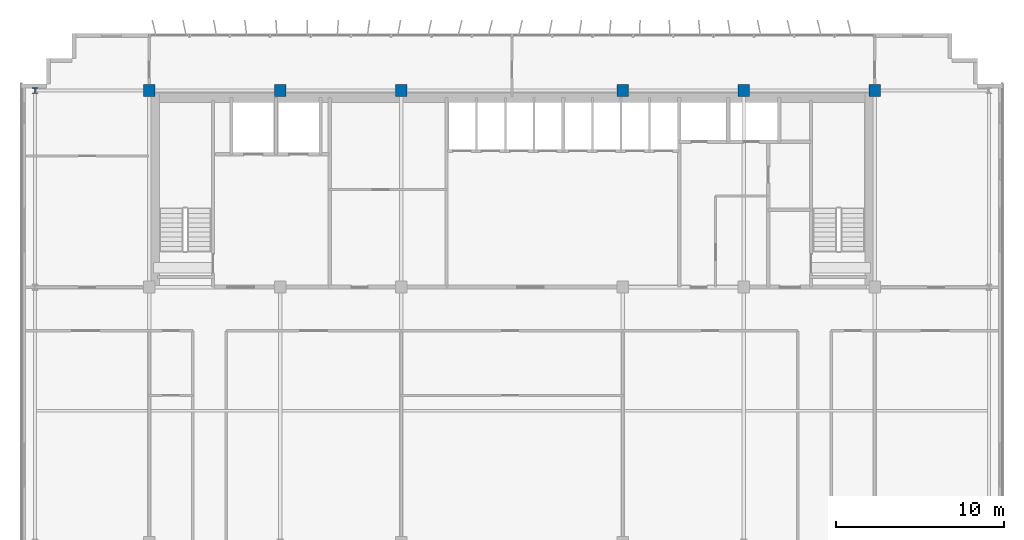
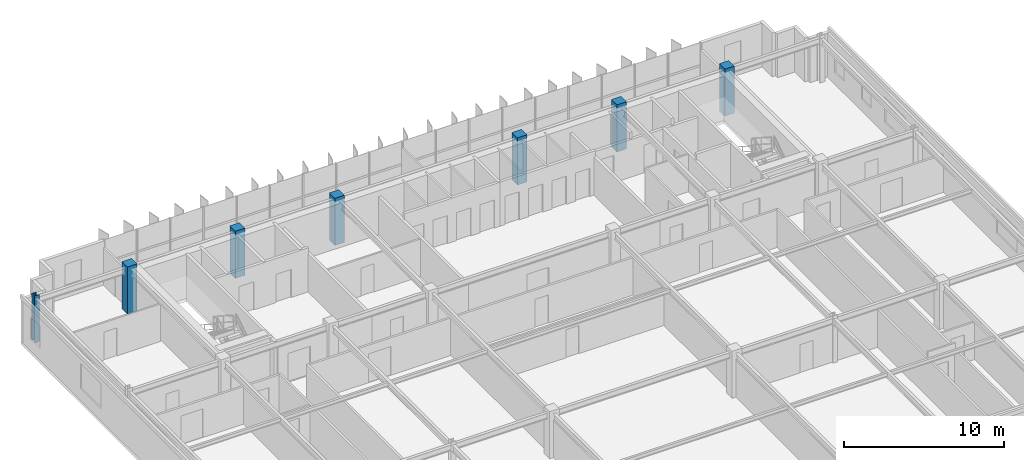
# One storey, part 3 of 19: 7 columns.
"""IFC4 building model written with IfcOpenShell, lengths in metres."""

from ifc_helpers import new_model, si_unit, direction, frame, origin, origin_2d, place, context, subcontext, project, spatial, rectangle, i_section, extrude, source, transform, mapped, material, material_profile, profile_set, type_object, element, save


model = new_model("IFC4")

# Units and contexts
model_context = context("Model", 3, precision=1e-05, world=origin(), true_north=direction((0.0, 1.0)))
body_context = subcontext(model_context, "Body", "Model", "MODEL_VIEW")
ifc_project = project(units=[si_unit("LENGTHUNIT", "METRE"), si_unit("AREAUNIT", "SQUARE_METRE"), si_unit("VOLUMEUNIT", "CUBIC_METRE"), si_unit("PLANEANGLEUNIT", "RADIAN"), si_unit("MASSUNIT", "GRAM", prefix="KILO")], contexts=[model_context])

# Site, building, storey
site_placement = place(None, origin())
site = spatial("IfcSite", under=ifc_project, at=site_placement, CompositionType="ELEMENT")
building_placement = place(site_placement, origin())
building = spatial("IfcBuilding", under=site, at=building_placement, Name="Trelvane Seafront Commons", CompositionType="ELEMENT")
storey_placement = place(building_placement, frame((0.0, 0.0, 215.699951171875)))
storey = spatial("IfcBuildingStorey", under=building, at=storey_placement, Name="L56", CompositionType="ELEMENT", Elevation=215.699951171875)

# Columns
ifc_material_1 = material(Name="Concrete C50/60", Category="concrete")
ifc_material_profile_1 = material_profile(ifc_material_1, rectangle(XDim=0.699951171875, YDim=0.699951171875, at=origin_2d()), Name="RC-700x700")
ifc_profile_set_1 = profile_set([ifc_material_profile_1], Name="Concrete C50/60")
column_type_1 = type_object("IfcColumnType", Name="STR-COL-RC700", PredefinedType="COLUMN", material=ifc_profile_set_1)
shared_shape_1 = source(origin(), body_context, "Body", "SweptSolid", [
    extrude(rectangle(XDim=0.699951171875, YDim=0.699951171875, at=origin_2d()), origin(), (0.0, 0.0, 1.0), 3.60009765625),
])
for number, where, z_axis, x_axis, name in (
    (1, (15.60009765625, 45.10009765625, 0.0), (0.0, 0.0, 1.0), (1.0, 0.0, 0.0), "L56 Column TC-CN15.6"),
    (2, (23.39990234375, 45.10009765625, 0.0), (0.0, 0.0, 1.0), (1.0, 0.0, 0.0), "L56 Column TC-CN23.4"),
    (3, (30.60009765625, 45.10009765625, 0.0), (0.0, 0.0, 1.0), (1.0, 0.0, 0.0), "L56 Column TC-CN30.6"),
    (4, (43.800048828125, 45.10009765625, 0.0), (0.0, 0.0, 1.0), (1.0, 0.0, 0.0), "L56 Column TC-CN43.8"),
    (5, (51.0, 45.10009765625, 0.0), (0.0, 0.0, 1.0), (1.0, 0.0, 0.0), "L56 Column TC-CN51.0"),
    (6, (58.800048828125, 45.10009765625, 0.0), (0.0, 0.0, 1.0), (1.0, 0.0, 0.0), "L56 Column TC-CN58.8"),
):
    element("IfcColumn", number, at=place(storey_placement, frame(where, z_axis=z_axis, x_axis=x_axis)), inside=storey, type_object=column_type_1, Name=name, PredefinedType="COLUMN", context=body_context, shape_type="MappedRepresentation", body=[
        mapped(shared_shape_1, transform((0.0, 0.0, 0.0), x_axis=(1.0, 0.0, 0.0), y_axis=(0.0, 1.0, 0.0), z_axis=(0.0, 0.0, 1.0), scale=1.0)),
    ])
ifc_material_2 = material(Name="Steel SM355 (S355)", Category="steel")
ifc_material_profile_2 = material_profile(ifc_material_2, i_section(OverallWidth=0.35009765625, OverallDepth=0.35009765625, WebThickness=0.01806640625, FlangeThickness=0.028076171875, at=origin_2d()), Name="HD-350x350x18x28")
ifc_profile_set_2 = profile_set([ifc_material_profile_2], Name="Steel SM355 (S355)")
column_type_2 = type_object("IfcColumnType", Name="STR-COL-HD350", PredefinedType="COLUMN", material=ifc_profile_set_2)
shared_shape_2 = source(origin(), body_context, "Body", "SweptSolid", [
    extrude(i_section(OverallWidth=0.35009765625, OverallDepth=0.35009765625, WebThickness=0.01806640625, FlangeThickness=0.028076171875, at=origin_2d()), origin(), (0.0, 0.0, 1.0), 3.60009765625),
])
column_placement = place(storey_placement, frame((8.800048828125, 45.10009765625, 0.0), z_axis=(0.0, 0.0, 1.0), x_axis=(1.0, 0.0, 0.0)))
element("IfcColumn", 7, at=column_placement, inside=storey, type_object=column_type_2, Name="L56 Column TC-CN8.8", PredefinedType="COLUMN", context=body_context, shape_type="MappedRepresentation", body=[
    mapped(shared_shape_2, transform((0.0, 0.0, 0.0), x_axis=(1.0, 0.0, 0.0), y_axis=(0.0, 1.0, 0.0), z_axis=(0.0, 0.0, 1.0), scale=1.0)),
])

save(model, "model.ifc")
